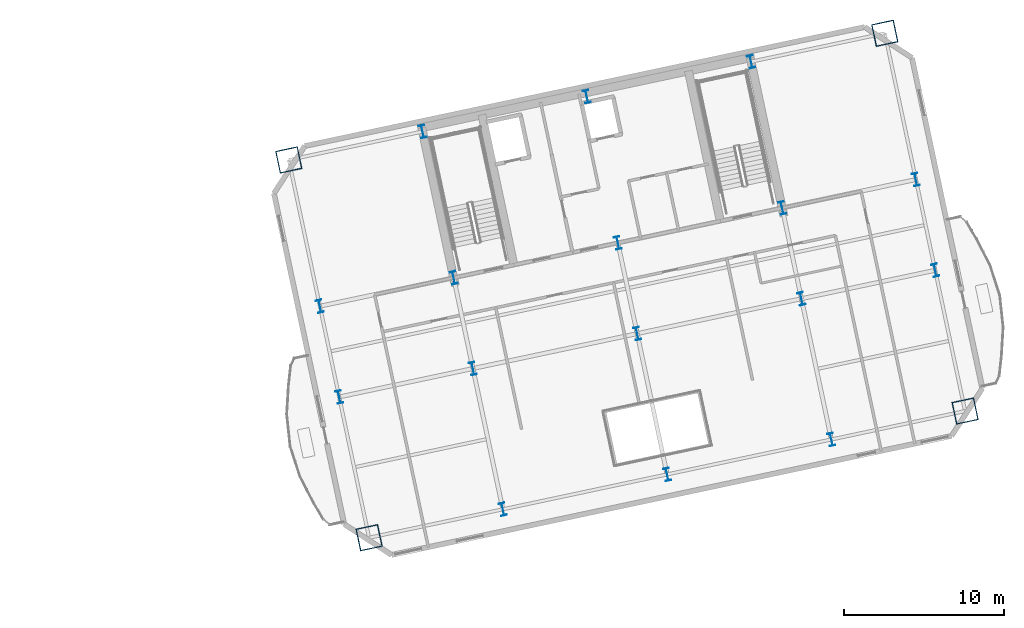
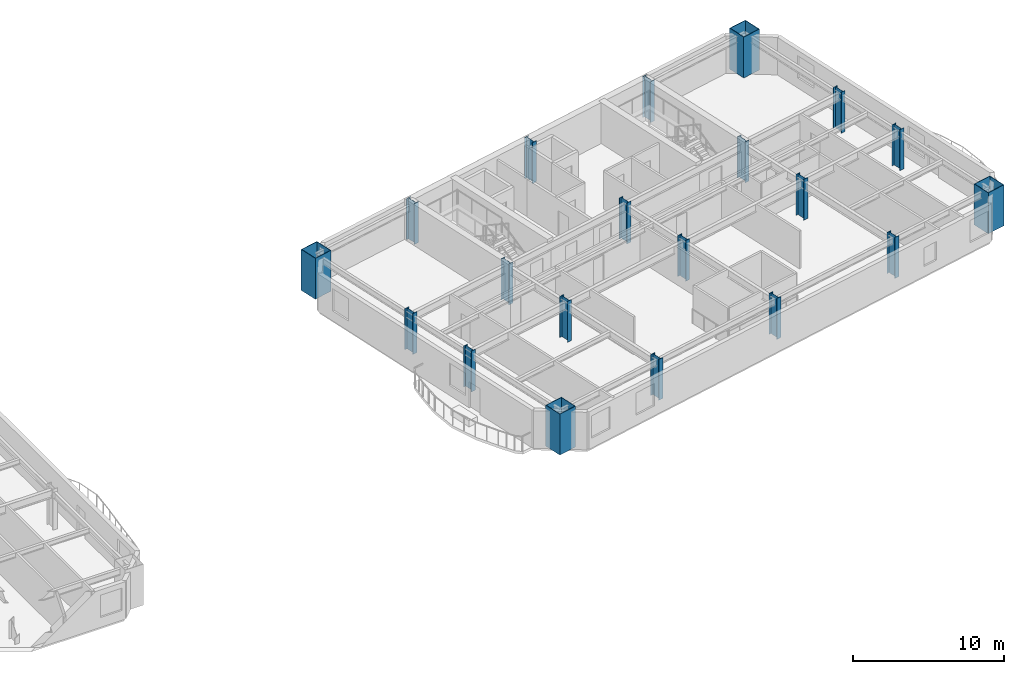
# One storey, part 2 of 14: 20 columns.
"""IFC4 building model written with IfcOpenShell, lengths in metres."""

from ifc_helpers import new_model, si_unit, direction, frame, origin, origin_2d, place, context, subcontext, project, spatial, hollow_rectangle, i_section, extrude, material, material_profile, profile_set, type_object, element, save


model = new_model("IFC4")

# Units and contexts
model_context = context("Model", 3, precision=1e-05, world=origin(), true_north=direction((0.0, 1.0)))
body_context = subcontext(model_context, "Body", "Model", "MODEL_VIEW")
ifc_project = project(units=[si_unit("LENGTHUNIT", "METRE"), si_unit("AREAUNIT", "SQUARE_METRE"), si_unit("VOLUMEUNIT", "CUBIC_METRE"), si_unit("PLANEANGLEUNIT", "RADIAN"), si_unit("MASSUNIT", "GRAM", prefix="KILO")], contexts=[model_context])

# Site, building, storey
site_placement = place(None, origin())
site = spatial("IfcSite", under=ifc_project, at=site_placement, CompositionType="ELEMENT")
building_placement = place(site_placement, origin())
building = spatial("IfcBuilding", under=site, at=building_placement, Name="Haevon Station Towers", CompositionType="ELEMENT")
storey_placement = place(building_placement, frame((0.0, 0.0, 106.5)))
storey = spatial("IfcBuildingStorey", under=building, at=storey_placement, Name="L28", CompositionType="ELEMENT", Elevation=106.5)

# Columns
ifc_material = material(Name="Steel S460", Category="steel")
ifc_material_profile_1 = material_profile(ifc_material, hollow_rectangle(XDim=1.39990234375, YDim=1.39990234375, WallThickness=0.035888671875, at=origin_2d()), Name="BOX-1400x1400x36")
ifc_profile_set_1 = profile_set([ifc_material_profile_1], Name="Steel S460")
column_type_1 = type_object("IfcColumnType", Name="COL-MC3", PredefinedType="COLUMN", material=ifc_profile_set_1)
for number, where, z_axis, x_axis, name in (
    (1, (93.46630859375, 21.188232421875, 0.0), (0.0, 0.0, 1.0), (0.978147600734, 0.207911690818, 0.0), "COL-T2-L28-01-01"),
    (2, (88.4453125, 44.810546875, 0.0), (0.0, 0.0, 1.0), (0.978147600734, 0.207911690818, 0.0), "COL-T2-L28-01-04"),
    (3, (130.733642578125, 29.109619140625, 0.0), (0.0, 0.0, 1.0), (0.978147600734, 0.207911690818, 0.0), "COL-T2-L28-05-01"),
    (4, (125.712646484375, 52.73193359375, 0.0), (0.0, 0.0, 1.0), (0.978147600734, 0.207911690818, 0.0), "COL-T2-L28-05-04"),
):
    element("IfcColumn", number, at=place(storey_placement, frame(where, z_axis=z_axis, x_axis=x_axis)), inside=storey, type_object=column_type_1, Name=name, PredefinedType="COLUMN", context=body_context, shape_type="SweptSolid", body=[
        extrude(hollow_rectangle(XDim=1.39990234375, YDim=1.39990234375, WallThickness=0.035888671875, at=origin_2d()), origin(), (0.0, 0.0, 1.0), 3.300048828125),
    ])
ifc_material_profile_2 = material_profile(ifc_material, i_section(OverallWidth=0.35009765625, OverallDepth=0.800048828125, WebThickness=0.01806640625, FlangeThickness=0.031982421875, at=origin_2d()), Name="H-800x350x18x32")
ifc_profile_set_2 = profile_set([ifc_material_profile_2], Name="Steel S460")
column_type_2 = type_object("IfcColumnType", Name="COL-TW2", PredefinedType="COLUMN", material=ifc_profile_set_2)
for number, where, z_axis, x_axis, name in (
    (5, (91.594970703125, 29.991455078125, 0.0), (0.0, 0.0, 1.0), (0.978147600734, 0.207911690818, 0.0), "COL-T2-L28-01-02"),
    (6, (90.38916015625, 35.664794921875, 0.0), (0.0, 0.0, 1.0), (0.978147600734, 0.207911690818, 0.0), "COL-T2-L28-01-03"),
    (7, (101.829345703125, 22.9658203125, 0.0), (0.0, 0.0, 1.0), (0.978147600734, 0.207911690818, 0.0), "COL-T2-L28-02-01"),
    (8, (99.958251953125, 31.76904296875, 0.0), (0.0, 0.0, 1.0), (0.978147600734, 0.207911690818, 0.0), "COL-T2-L28-02-02"),
    (9, (98.75244140625, 37.4423828125, 0.0), (0.0, 0.0, 1.0), (0.978147600734, 0.207911690818, 0.0), "COL-T2-L28-02-03"),
    (10, (96.808349609375, 46.588134765625, 0.0), (0.0, 0.0, 1.0), (0.978147600734, 0.207911690818, 0.0), "COL-T2-L28-02-04"),
    (11, (112.10009765625, 25.14892578125, 0.0), (0.0, 0.0, 1.0), (0.978147600734, 0.207911690818, 0.0), "COL-T2-L28-03-01"),
    (12, (110.228759765625, 33.9521484375, 0.0), (0.0, 0.0, 1.0), (0.978147600734, 0.207911690818, 0.0), "COL-T2-L28-03-02"),
    (13, (109.02294921875, 39.62548828125, 0.0), (0.0, 0.0, 1.0), (0.978147600734, 0.207911690818, 0.0), "COL-T2-L28-03-03"),
    (14, (107.078857421875, 48.771240234375, 0.0), (0.0, 0.0, 1.0), (0.978147600734, 0.207911690818, 0.0), "COL-T2-L28-03-04"),
    (15, (122.37060546875, 27.33203125, 0.0), (0.0, 0.0, 1.0), (0.978147600734, 0.207911690818, 0.0), "COL-T2-L28-04-01"),
    (16, (120.499267578125, 36.13525390625, 0.0), (0.0, 0.0, 1.0), (0.978147600734, 0.207911690818, 0.0), "COL-T2-L28-04-02"),
    (17, (119.29345703125, 41.80859375, 0.0), (0.0, 0.0, 1.0), (0.978147600734, 0.207911690818, 0.0), "COL-T2-L28-04-03"),
    (18, (117.349365234375, 50.954345703125, 0.0), (0.0, 0.0, 1.0), (0.978147600734, 0.207911690818, 0.0), "COL-T2-L28-04-04"),
    (19, (128.862548828125, 37.912841796875, 0.0), (0.0, 0.0, 1.0), (0.978147600734, 0.207911690818, 0.0), "COL-T2-L28-05-02"),
    (20, (127.656494140625, 43.586181640625, 0.0), (0.0, 0.0, 1.0), (0.978147600734, 0.207911690818, 0.0), "COL-T2-L28-05-03"),
):
    element("IfcColumn", number, at=place(storey_placement, frame(where, z_axis=z_axis, x_axis=x_axis)), inside=storey, type_object=column_type_2, Name=name, PredefinedType="COLUMN", context=body_context, shape_type="SweptSolid", body=[
        extrude(i_section(OverallWidth=0.35009765625, OverallDepth=0.800048828125, WebThickness=0.01806640625, FlangeThickness=0.031982421875, at=origin_2d()), origin(), (0.0, 0.0, 1.0), 3.300048828125),
    ])

save(model, "model.ifc")
